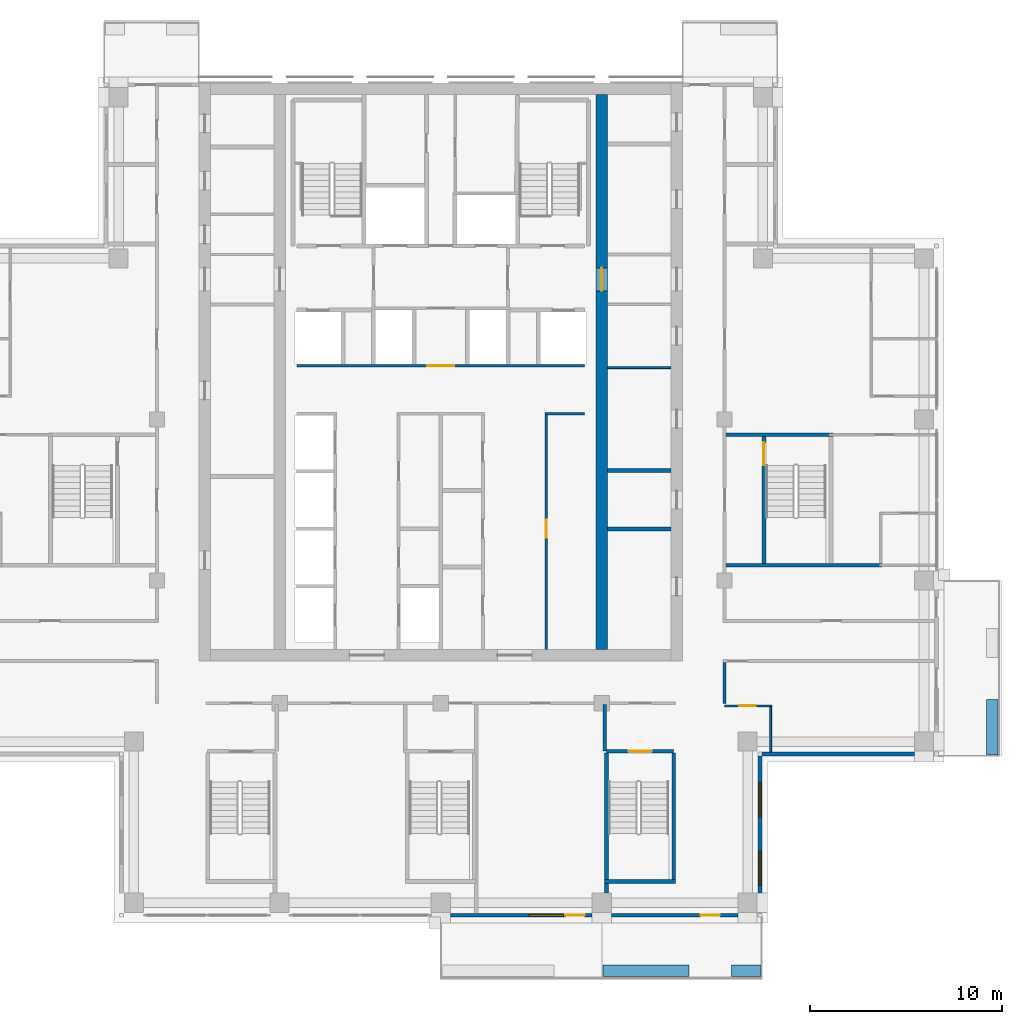
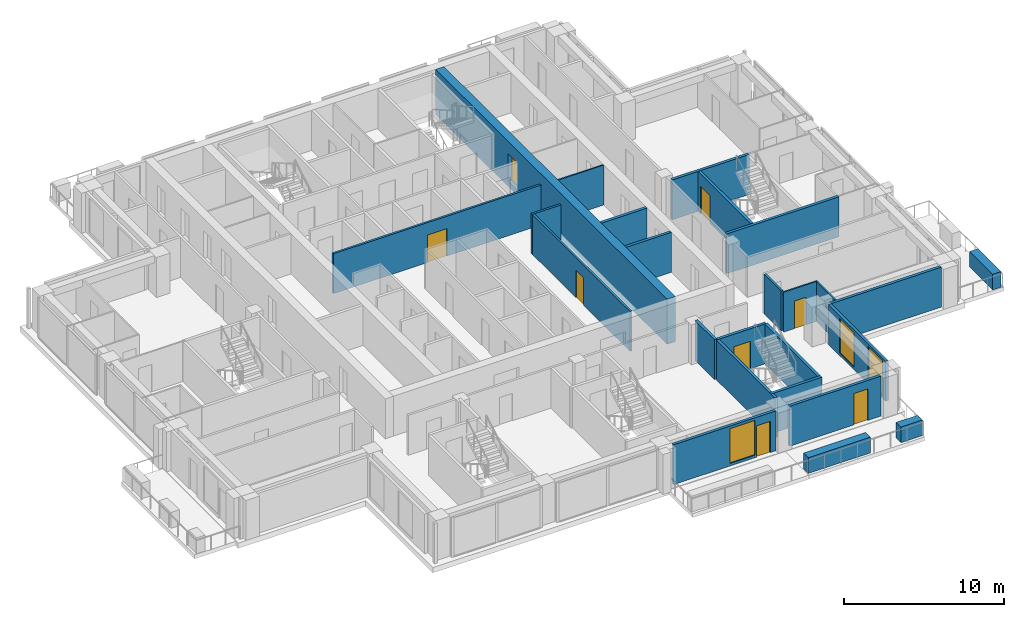
# One storey, part 10 of 17: 25 walls, 8 doors, 3 windows, 11 openings.
"""IFC4 building model written with IfcOpenShell, lengths in metres."""

import ifcopenshell
import ifcopenshell.guid

model = None  # the IFC model being written
_history = None  # IfcOwnerHistory: only IFC2X3 demands one
_inside = {}  # id of a spatial element -> (the spatial element, [elements in it])
_under = {}  # id of a project, library or spatial element -> (it, [spatial elements below it])
_declared = {}  # id of a project -> (the project, [libraries it declares])
_typed = {}  # id of a type object -> (the type object, [elements of that type])
_made_of = {}  # id of a material, layer set ... -> (it, [elements and type objects made of it])


def new_model(schema):
    """Start an empty IFC model of exactly this schema.

    Asked for "IFC4X3", IfcOpenShell would pick the latest addendum, in which some entities
    have other attributes; the version numbers below select the first issue.
    IFC2X3 requires an IfcOwnerHistory on every rooted entity: one is made here for all.
    """
    global model, _history
    if schema == "IFC4X3":
        model = ifcopenshell.file(schema_version=(4, 3, 0, 0))
    else:
        model = ifcopenshell.file(schema=schema)
    _inside.clear()
    _under.clear()
    _declared.clear()
    _typed.clear()
    _made_of.clear()
    _history = None
    if model.schema == "IFC2X3":
        org = make("IfcOrganization", Name="unknown")
        user = make(
            "IfcPersonAndOrganization",
            ThePerson=make("IfcPerson", FamilyName="unknown"),
            TheOrganization=org,
        )
        app = make(
            "IfcApplication",
            ApplicationDeveloper=org,
            Version="unknown",
            ApplicationFullName="unknown",
            ApplicationIdentifier="unknown",
        )
        _history = make(
            "IfcOwnerHistory",
            OwningUser=user,
            OwningApplication=app,
            ChangeAction="ADDED",
            CreationDate=0,
        )
    return model


def make(cls, **values):
    """One entity of the class cls with the attributes given. An attribute that is None is left unset."""
    return model.create_entity(
        cls, **{name: value for name, value in values.items() if value is not None}
    )


def rooted(cls, **values):
    """An entity with a GlobalId (a new one), such as an element, a storey or a relation."""
    return make(cls, GlobalId=ifcopenshell.guid.new(), OwnerHistory=_history, **values)


def si_unit(unit_type, name, prefix=None):
    """IfcSIUnit, for example si_unit("LENGTHUNIT", "METRE", prefix="MILLI")."""
    return make("IfcSIUnit", UnitType=unit_type, Prefix=prefix, Name=name)


def assignment(units):
    """IfcUnitAssignment: the units of a project."""
    return None if units is None else make("IfcUnitAssignment", Units=units)


def point(xyz):
    """IfcCartesianPoint."""
    return None if xyz is None else make("IfcCartesianPoint", Coordinates=xyz)


def direction(xyz):
    """IfcDirection."""
    return None if xyz is None else make("IfcDirection", DirectionRatios=xyz)


def frame(location, z_axis=None, x_axis=None):
    """IfcAxis2Placement3D, a coordinate frame: its origin and axes. An axis left out is left unset."""
    return make(
        "IfcAxis2Placement3D",
        Location=point(location),
        Axis=direction(z_axis),
        RefDirection=direction(x_axis),
    )


def frame_2d(location, x_axis=None):
    """IfcAxis2Placement2D, a coordinate frame in the plane: its origin and x axis."""
    return make(
        "IfcAxis2Placement2D", Location=point(location), RefDirection=direction(x_axis)
    )


def origin():
    """The frame at (0, 0, 0) with its axes left unset."""
    return frame((0.0, 0.0, 0.0))


def place(relative_to, where):
    """IfcLocalPlacement: puts the frame where relative to a parent placement (None: the world)."""
    return make(
        "IfcLocalPlacement", PlacementRelTo=relative_to, RelativePlacement=where
    )


def context(
    kind, dimensions, precision=None, world=None, true_north=None, identifier=None
):
    """IfcGeometricRepresentationContext, for example the 3D "Model" context."""
    return make(
        "IfcGeometricRepresentationContext",
        ContextIdentifier=identifier,
        ContextType=kind,
        CoordinateSpaceDimension=dimensions,
        Precision=precision,
        WorldCoordinateSystem=world,
        TrueNorth=true_north,
    )


def subcontext(parent, identifier, kind, view, scale=None):
    """IfcGeometricRepresentationSubContext, for example "Body" below "Model"."""
    return make(
        "IfcGeometricRepresentationSubContext",
        ContextIdentifier=identifier,
        ContextType=kind,
        ParentContext=parent,
        TargetScale=scale,
        TargetView=view,
    )


def project(units=None, contexts=None):
    """IfcProject with its units and contexts."""
    return rooted(
        "IfcProject",
        Name="project",
        RepresentationContexts=contexts,
        UnitsInContext=assignment(units),
    )


def spatial(cls, under=None, at=None, **own):
    """A site, building, storey or space (cls), placed at a placement, below another one or the project."""
    s = rooted(cls, ObjectPlacement=at, **own)
    if under is not None:
        _under.setdefault(under.id(), (under, []))[1].append(s)
    return s


def profile(cls, at=None, kind="AREA", **sizes):
    """A parametric profile (cls). Its sizes go by their IFC names, for example OverallWidth=200.0."""
    return make(cls, ProfileType=kind, Position=at, **sizes)


def rectangle(**sizes):
    """IfcRectangleProfileDef."""
    return profile("IfcRectangleProfileDef", **sizes)


def extrude(swept, where, along, depth):
    """IfcExtrudedAreaSolid: the profile swept, set in the frame where, extruded along a direction by depth."""
    return make(
        "IfcExtrudedAreaSolid",
        SweptArea=swept,
        Position=where,
        ExtrudedDirection=direction(along),
        Depth=depth,
    )


def shape(context_of_items, identifier, shape_type, items):
    """IfcShapeRepresentation: the items that make up one representation, for example the "Body"."""
    return make(
        "IfcShapeRepresentation",
        ContextOfItems=context_of_items,
        RepresentationIdentifier=identifier,
        RepresentationType=shape_type,
        Items=items,
    )


def material(Name=None, Category=None):
    """IfcMaterial."""
    return make("IfcMaterial", Name=Name, Category=Category)


def layer(
    of_material, thickness, ventilated=None, Name=None, Category=None, Priority=None
):
    """IfcMaterialLayer: one layer of a wall or slab, of a material (None: an air gap)."""
    return make(
        "IfcMaterialLayer",
        Material=of_material,
        LayerThickness=thickness,
        IsVentilated=ventilated,
        Name=Name,
        Category=Category,
        Priority=Priority,
    )


def layer_set(layers, Name=None):
    """IfcMaterialLayerSet."""
    return make("IfcMaterialLayerSet", MaterialLayers=layers, LayerSetName=Name)


def made_of(thing, what):
    """Note that an element or type object is made of a material, layer set ...; save() writes the relation."""
    if what is not None:
        _made_of.setdefault(what.id(), (what, []))[1].append(thing)
    return thing


def type_object(cls, material=None, **own):
    """A type object (cls), such as IfcWallType, which elements share."""
    return made_of(rooted(cls, **own), material)


def element(
    cls,
    number,
    at=None,
    inside=None,
    cuts=None,
    type_object=None,
    material=None,
    context=None,
    identifier="Body",
    shape_type=None,
    held_by="IfcProductDefinitionShape",
    body=None,
    shapes=None,
    **own,
):
    """One element of the class cls, such as IfcWall. Its Tag is "e" and its number.

    at: its placement. inside: the storey or other place that contains it. cuts: it is an
    opening in that element (IfcRelVoidsElement). A single representation is given by context,
    identifier, shape_type and body (its items); several are given by shapes. held_by: the class
    of the entity that holds the representations. save() writes the other relations.
    """
    e = rooted(cls, Tag="e%d" % number, ObjectPlacement=at, **own)
    if body is not None:
        shapes = [shape(context, identifier, shape_type, body)]
    if shapes is not None:
        e.Representation = make(held_by, Representations=shapes)
    if inside is not None:
        _inside.setdefault(inside.id(), (inside, []))[1].append(e)
    if cuts is not None:
        rooted(
            "IfcRelVoidsElement", RelatingBuildingElement=cuts, RelatedOpeningElement=e
        )
    if type_object is not None:
        _typed.setdefault(type_object.id(), (type_object, []))[1].append(e)
    return made_of(e, material)


def fill(opening, filler):
    """IfcRelFillsElement: the door or window that sits in an opening."""
    return rooted(
        "IfcRelFillsElement",
        RelatingOpeningElement=opening,
        RelatedBuildingElement=filler,
    )


def aggregate(whole, parts):
    """IfcRelAggregates: a whole, such as a stair, and the parts it consists of."""
    return rooted("IfcRelAggregates", RelatingObject=whole, RelatedObjects=parts)


def save(model, path):
    """Write the relations noted so far, then the file.

    IfcRelAggregates (storeys below a building ...), IfcRelContainedInSpatialStructure (elements
    in a storey), IfcRelDefinesByType, IfcRelAssociatesMaterial and IfcRelDeclares: one each for
    every whole, place, type object, material and project.
    """
    for whole, parts in _under.values():
        aggregate(whole, parts)
    for where, things in _inside.values():
        rooted(
            "IfcRelContainedInSpatialStructure",
            RelatedElements=things,
            RelatingStructure=where,
        )
    for kind, things in _typed.values():
        rooted("IfcRelDefinesByType", RelatedObjects=things, RelatingType=kind)
    for what, things in _made_of.values():
        rooted("IfcRelAssociatesMaterial", RelatedObjects=things, RelatingMaterial=what)
    for by, libraries in _declared.values():
        rooted("IfcRelDeclares", RelatingContext=by, RelatedDefinitions=libraries)
    model.write(path)


model = new_model("IFC4")

# Units and contexts
model_context = context("Model", 3, precision=1e-05, world=origin(), true_north=direction((0.0, 1.0)))
body_context = subcontext(model_context, "Body", "Model", "MODEL_VIEW")
ifc_project = project(units=[si_unit("LENGTHUNIT", "METRE"), si_unit("AREAUNIT", "SQUARE_METRE"), si_unit("VOLUMEUNIT", "CUBIC_METRE"), si_unit("PLANEANGLEUNIT", "RADIAN"), si_unit("MASSUNIT", "GRAM", prefix="KILO")], contexts=[model_context])

# Site, building, storey
site_placement = place(None, origin())
site = spatial("IfcSite", under=ifc_project, at=site_placement, CompositionType="ELEMENT")
building_placement = place(site_placement, origin())
building = spatial("IfcBuilding", under=site, at=building_placement, Name="Vermilion Ogive Tower", CompositionType="ELEMENT")
storey_placement = place(building_placement, frame((0.0, 0.0, 189.35009765625)))
storey = spatial("IfcBuildingStorey", under=building, at=storey_placement, Name="L49", CompositionType="ELEMENT", Elevation=189.35009765625)

# Wall, opening, door
ifc_material_1 = material(Name="Concrete B60", Category="concrete")
ifc_layer_1 = layer(ifc_material_1, 0.60009765625)
ifc_layer_set_1 = layer_set([ifc_layer_1], Name="Core wall 600 B60")
wall_type_1 = type_object("IfcWallType", Name="Core wall 600 B60", PredefinedType="SHEAR", material=ifc_layer_set_1)
wall_1_placement = place(storey_placement, frame((8.39990234375, -7.800048828125, -0.400146484375), z_axis=(0.0, 0.0, 1.0), x_axis=(0.0, 1.0, 0.0)))
wall_1 = element("IfcWall", 1, at=wall_1_placement, inside=storey, type_object=wall_type_1, Name="L49-CORE-WEB2", PredefinedType="SHEAR", context=body_context, shape_type="SweptSolid", body=[
    extrude(rectangle(XDim=28.949951171875, YDim=0.60009765625, at=frame_2d((14.47509765625, 0.0))), origin(), (0.0, 0.0, 1.0), 3.449951171875),
])
opening_1_placement = place(wall_1_placement, frame((18.699951171875, 0.0, 0.39990234375)))
opening_1 = element("IfcOpeningElement", 2, at=opening_1_placement, cuts=wall_1, Name="Opening DAO014", PredefinedType="OPENING", context=body_context, shape_type="SweptSolid", body=[
    extrude(rectangle(XDim=1.199951171875, YDim=2.10009765625, at=frame_2d((0.60009765625, 1.050048828125))), frame((0.0, 0.31005859375, 0.0), z_axis=(0.0, -1.0, 0.0), x_axis=(1.0, 0.0, 0.0)), (0.0, 0.0, 1.0), 0.6201171875),
])
ifc_material_2 = material(Name="Timber door leaf", Category="wood")
door_type_1 = type_object("IfcDoorType", Name="Link door 1200 x 2100 FD60S", OperationType="SINGLE_SWING_LEFT", PredefinedType="DOOR", material=ifc_material_2)
door_1_placement = place(opening_1_placement, origin())
door_1 = element("IfcDoor", 3, at=door_1_placement, inside=storey, type_object=door_type_1, Name="L49-CKE-XW", OperationType="SINGLE_SWING_LEFT", OverallHeight=2.10009765625, OverallWidth=1.199951171875, PredefinedType="DOOR", context=body_context, shape_type="SweptSolid", body=[
    extrude(rectangle(XDim=1.199951171875, YDim=2.10009765625, at=frame_2d((0.60009765625, 1.050048828125))), frame((0.0, 0.02490234375, 0.0), z_axis=(0.0, -1.0, 0.0), x_axis=(1.0, 0.0, 0.0)), (0.0, 0.0, 1.0), 0.050048828125),
])
fill(opening_1, door_1)

ifc_material_3 = material(Name="Gypsum board partition on steel studs", Category="steel")
ifc_layer_2 = layer(ifc_material_3, 0.10009765625)
ifc_layer_set_2 = layer_set([ifc_layer_2], Name="Partition 100 bath")
wall_type_2 = type_object("IfcWallType", Name="Partition 100 bath", PredefinedType="PARTITIONING", material=ifc_layer_set_2)
wall_2_placement = place(storey_placement, frame((14.800048828125, -10.739990234375, 0.0), z_axis=(0.0, 0.0, 1.0), x_axis=(1.0, 0.0, 0.0)))
wall_2 = element("IfcWall", 4, at=wall_2_placement, inside=storey, type_object=wall_type_2, Name="L49-W-W005", PredefinedType="PARTITIONING", context=body_context, shape_type="SweptSolid", body=[
    extrude(rectangle(XDim=2.449951171875, YDim=0.10009765625, at=frame_2d((1.22509765625, 0.0))), origin(), (0.0, 0.0, 1.0), 3.0498046875),
])
opening_2_placement = place(wall_2_placement, frame((0.77490234375, 0.0, 0.0)))
opening_2 = element("IfcOpeningElement", 5, at=opening_2_placement, cuts=wall_2, Name="Opening D4G2012", PredefinedType="OPENING", context=body_context, shape_type="SweptSolid", body=[
    extrude(rectangle(XDim=0.85009765625, YDim=2.10009765625, at=frame_2d((0.425048828125, 1.050048828125))), frame((0.0, 0.06005859375, 0.0), z_axis=(0.0, -1.0, 0.0), x_axis=(1.0, 0.0, 0.0)), (0.0, 0.0, 1.0), 0.1201171875),
])
ifc_material_4 = material(Name="Timber door leaf", Category="wood")
door_type_2 = type_object("IfcDoorType", Name="Bath door 850 x 2100 FD30", OperationType="SINGLE_SWING_LEFT", PredefinedType="DOOR", material=ifc_material_4)
door_2_placement = place(opening_2_placement, origin())
door_2 = element("IfcDoor", 6, at=door_2_placement, inside=storey, type_object=door_type_2, Name="L49-D-D012", OperationType="SINGLE_SWING_RIGHT", OverallHeight=2.10009765625, OverallWidth=0.85009765625, PredefinedType="DOOR", context=body_context, shape_type="SweptSolid", body=[
    extrude(rectangle(XDim=0.85009765625, YDim=2.10009765625, at=frame_2d((0.425048828125, 1.050048828125))), frame((0.0, 0.02490234375, 0.0), z_axis=(0.0, -1.0, 0.0), x_axis=(1.0, 0.0, 0.0)), (0.0, 0.0, 1.0), 0.050048828125),
])
fill(opening_2, door_2)

# Walls
wall_3_placement = place(storey_placement, frame((17.199951171875, -13.14990234375, 0.0), z_axis=(0.0, 0.0, 1.0), x_axis=(0.0, 1.0, 0.0)))
element("IfcWall", 7, at=wall_3_placement, inside=storey, type_object=wall_type_2, Name="L49-W-W044", PredefinedType="PARTITIONING", context=body_context, shape_type="SweptSolid", body=[
    extrude(rectangle(XDim=2.35986328125, YDim=0.10009765625, at=frame_2d((1.179931640625, 0.0))), origin(), (0.0, 0.0, 1.0), 3.0498046875),
])
wall_4_placement = place(storey_placement, frame((8.700927734375, 6.904052734375, 0.0), z_axis=(0.0, 0.0, 1.0), x_axis=(1.0, 0.0, 0.0)))
element("IfcWall", 8, at=wall_4_placement, inside=storey, type_object=wall_type_2, Name="L49-CKE-W-W003", PredefinedType="PARTITIONING", context=body_context, shape_type="SweptSolid", body=[
    extrude(rectangle(XDim=3.298095703125, YDim=0.10009765625, at=frame_2d((1.64892578125, 0.0))), origin(), (0.0, 0.0, 1.0), 3.0498046875),
])
ifc_material_5 = material(Name="Gypsum board partition on steel studs", Category="steel")
ifc_layer_3 = layer(ifc_material_5, 0.14990234375)
ifc_layer_set_3 = layer_set([ifc_layer_3], Name="Partition 150 corridor")
wall_type_3 = type_object("IfcWallType", Name="Partition 150 corridor", PredefinedType="PARTITIONING", material=ifc_layer_set_3)
wall_5_placement = place(storey_placement, frame((14.800048828125, -10.60009765625, 0.0), z_axis=(0.0, 0.0, 1.0), x_axis=(0.0, 1.0, 0.0)))
element("IfcWall", 9, at=wall_5_placement, inside=storey, type_object=wall_type_3, Name="L49-W-W041", PredefinedType="PARTITIONING", context=body_context, shape_type="SweptSolid", body=[
    extrude(rectangle(XDim=2.125, YDim=0.14990234375, at=frame_2d((1.0625, 0.0))), origin(), (0.0, 0.0, 1.0), 3.0498046875),
])
wall_6_placement = place(storey_placement, frame((5.425048828125, 4.5, 0.0), z_axis=(0.0, 0.0, 1.0), x_axis=(1.0, 0.0, 0.0)))
element("IfcWall", 10, at=wall_6_placement, inside=storey, type_object=wall_type_3, Name="L49-CK-W-W010", PredefinedType="PARTITIONING", context=body_context, shape_type="SweptSolid", body=[
    extrude(rectangle(XDim=2.074951171875, YDim=0.14990234375, at=frame_2d((1.03759765625, 0.0))), origin(), (0.0, 0.0, 1.0), 3.0498046875),
])

# Wall, opening, door
wall_7_placement = place(storey_placement, frame((-7.5, 7.0, 0.0), z_axis=(0.0, 0.0, 1.0), x_axis=(1.0, 0.0, 0.0)))
wall_7 = element("IfcWall", 11, at=wall_7_placement, inside=storey, type_object=wall_type_3, Name="L49-CK-W-W011", PredefinedType="PARTITIONING", context=body_context, shape_type="SweptSolid", body=[
    extrude(rectangle(XDim=15.0, YDim=0.14990234375, at=frame_2d((7.5, 0.0))), origin(), (0.0, 0.0, 1.0), 3.0498046875),
])
opening_3_placement = place(wall_7_placement, frame((6.800048828125, 0.0, 0.0)))
opening_3 = element("IfcOpeningElement", 12, at=opening_3_placement, cuts=wall_7, Name="Opening DAA421", PredefinedType="OPENING", context=body_context, shape_type="SweptSolid", body=[
    extrude(rectangle(XDim=1.39990234375, YDim=2.10009765625, at=frame_2d((0.699951171875, 1.050048828125))), frame((0.0, 0.0849609375, 0.0), z_axis=(0.0, -1.0, 0.0), x_axis=(1.0, 0.0, 0.0)), (0.0, 0.0, 1.0), 0.169921875),
])
ifc_material_6 = material(Name="Timber door leaf", Category="wood")
door_type_3 = type_object("IfcDoorType", Name="Lobby door 1400 x 2100 FD60S", OperationType="SINGLE_SWING_LEFT", PredefinedType="DOOR", material=ifc_material_6)
door_3_placement = place(opening_3_placement, origin())
door_3 = element("IfcDoor", 13, at=door_3_placement, inside=storey, type_object=door_type_3, Name="L49-CK-D-D016", OperationType="SINGLE_SWING_RIGHT", OverallHeight=2.10009765625, OverallWidth=1.39990234375, PredefinedType="DOOR", context=body_context, shape_type="SweptSolid", body=[
    extrude(rectangle(XDim=1.39990234375, YDim=2.10009765625, at=frame_2d((0.699951171875, 1.050048828125))), frame((0.0, 0.02490234375, 0.0), z_axis=(0.0, -1.0, 0.0), x_axis=(1.0, 0.0, 0.0)), (0.0, 0.0, 1.0), 0.050048828125),
])
fill(opening_3, door_3)

wall_8_placement = place(storey_placement, frame((5.5, -7.799072265625, 0.0), z_axis=(0.0, 0.0, 1.0), x_axis=(0.0, 1.0, 0.0)))
wall_8 = element("IfcWall", 14, at=wall_8_placement, inside=storey, type_object=wall_type_3, Name="L49-CK-W-W038", PredefinedType="PARTITIONING", context=body_context, shape_type="SweptSolid", body=[
    extrude(rectangle(XDim=12.22412109375, YDim=0.14990234375, at=frame_2d((6.112060546875, 0.0))), origin(), (0.0, 0.0, 1.0), 3.0498046875),
])
opening_4_placement = place(wall_8_placement, frame((5.823974609375, 0.0, 0.0)))
opening_4 = element("IfcOpeningElement", 15, at=opening_4_placement, cuts=wall_8, Name="Opening DAA429", PredefinedType="OPENING", context=body_context, shape_type="SweptSolid", body=[
    extrude(rectangle(XDim=0.949951171875, YDim=2.10009765625, at=frame_2d((0.47509765625, 1.050048828125))), frame((0.0, 0.0849609375, 0.0), z_axis=(0.0, -1.0, 0.0), x_axis=(1.0, 0.0, 0.0)), (0.0, 0.0, 1.0), 0.169921875),
])
ifc_material_7 = material(Name="Timber door leaf", Category="wood")
door_type_4 = type_object("IfcDoorType", Name="Service door 950 x 2100 FD60", OperationType="SINGLE_SWING_LEFT", PredefinedType="DOOR", material=ifc_material_7)
door_4_placement = place(opening_4_placement, origin())
door_4 = element("IfcDoor", 16, at=door_4_placement, inside=storey, type_object=door_type_4, Name="L49-CK-D-D011", OperationType="SINGLE_SWING_LEFT", OverallHeight=2.10009765625, OverallWidth=0.949951171875, PredefinedType="DOOR", context=body_context, shape_type="SweptSolid", body=[
    extrude(rectangle(XDim=0.949951171875, YDim=2.10009765625, at=frame_2d((0.47509765625, 1.050048828125))), frame((0.0, 0.02490234375, 0.0), z_axis=(0.0, -1.0, 0.0), x_axis=(1.0, 0.0, 0.0)), (0.0, 0.0, 1.0), 0.050048828125),
])
fill(opening_4, door_4)

# Walls
ifc_material_8 = material(Name="Gypsum board partition on steel studs", Category="steel")
ifc_layer_4 = layer(ifc_material_8, 0.199951171875)
ifc_layer_set_4 = layer_set([ifc_layer_4], Name="Partition 200 party")
wall_type_4 = type_object("IfcWallType", Name="Partition 200 party", PredefinedType="PARTITIONING", material=ifc_layer_set_4)
wall_9_placement = place(storey_placement, frame((8.550048828125, -13.10009765625, 0.0), z_axis=(0.0, 0.0, 1.0), x_axis=(0.0, 1.0, 0.0)))
element("IfcWall", 17, at=wall_9_placement, inside=storey, type_object=wall_type_4, Name="L49-W-W040", PredefinedType="PARTITIONING", context=body_context, shape_type="SweptSolid", body=[
    extrude(rectangle(XDim=2.425048828125, YDim=0.199951171875, at=frame_2d((1.21240234375, 0.0))), origin(), (0.0, 0.0, 1.0), 3.0498046875),
])
for number, where, z_axis, x_axis, name in (
    (18, (8.700927734375, -1.51904296875, 0.0), (0.0, 0.0, 1.0), (1.0, 0.0, 0.0), "L49-CKE-W-W001"),
    (19, (8.700927734375, 1.532958984375, 0.0), (0.0, 0.0, 1.0), (1.0, 0.0, 0.0), "L49-CKE-W-W002"),
):
    element("IfcWall", number, at=place(storey_placement, frame(where, z_axis=z_axis, x_axis=x_axis)), inside=storey, type_object=wall_type_4, Name=name, PredefinedType="PARTITIONING", context=body_context, shape_type="SweptSolid", body=[
        extrude(rectangle(XDim=3.298095703125, YDim=0.199951171875, at=frame_2d((1.64892578125, 0.0))), origin(), (0.0, 0.0, 1.0), 3.0498046875),
    ])

# Wall, opening, door
ifc_material_9 = material(Name="Concrete B60", Category="concrete")
ifc_layer_5 = layer(ifc_material_9, 0.199951171875)
ifc_layer_set_5 = layer_set([ifc_layer_5], Name="Stair shaft wall 200 Concrete B60")
wall_type_5 = type_object("IfcWallType", Name="Stair shaft wall 200 Concrete B60", PredefinedType="SOLIDWALL", material=ifc_layer_set_5)
wall_10_placement = place(storey_placement, frame((8.64990234375, -13.10009765625, 0.0), z_axis=(0.0, 0.0, 1.0), x_axis=(1.0, 0.0, 0.0)))
wall_10 = element("IfcWall", 20, at=wall_10_placement, inside=storey, type_object=wall_type_5, Name="L49-W-W004", PredefinedType="SOLIDWALL", context=body_context, shape_type="SweptSolid", body=[
    extrude(rectangle(XDim=3.5, YDim=0.199951171875, at=frame_2d((1.75, 0.0))), origin(), (0.0, 0.0, 1.0), 3.0498046875),
])
opening_5_placement = place(wall_10_placement, frame((1.150146484375, 0.0, 0.0)))
opening_5 = element("IfcOpeningElement", 21, at=opening_5_placement, cuts=wall_10, Name="Opening D4G2025", PredefinedType="OPENING", context=body_context, shape_type="SweptSolid", body=[
    extrude(rectangle(XDim=1.199951171875, YDim=2.10009765625, at=frame_2d((0.60009765625, 1.050048828125))), frame((0.0, 0.10986328125, 0.0), z_axis=(0.0, -1.0, 0.0), x_axis=(1.0, 0.0, 0.0)), (0.0, 0.0, 1.0), 0.219970703125),
])
ifc_material_10 = material(Name="Timber door leaf", Category="wood")
door_type_5 = type_object("IfcDoorType", Name="Stair door 1200 x 2100 FD60S", OperationType="SINGLE_SWING_LEFT", PredefinedType="DOOR", material=ifc_material_10)
door_5_placement = place(opening_5_placement, origin())
door_5 = element("IfcDoor", 22, at=door_5_placement, inside=storey, type_object=door_type_5, Name="L49-D-D025", OperationType="SINGLE_SWING_RIGHT", OverallHeight=2.10009765625, OverallWidth=1.199951171875, PredefinedType="DOOR", context=body_context, shape_type="SweptSolid", body=[
    extrude(rectangle(XDim=1.199951171875, YDim=2.10009765625, at=frame_2d((0.60009765625, 1.050048828125))), frame((0.0, 0.02490234375, 0.0), z_axis=(0.0, -1.0, 0.0), x_axis=(1.0, 0.0, 0.0)), (0.0, 0.0, 1.0), 0.050048828125),
])
fill(opening_5, door_5)

# Wall
wall_11_placement = place(storey_placement, frame((14.875, 3.39990234375, 0.0), z_axis=(0.0, 0.0, 1.0), x_axis=(1.0, 0.0, 0.0)))
element("IfcWall", 23, at=wall_11_placement, inside=storey, type_object=wall_type_5, Name="L49-W-W019", PredefinedType="SOLIDWALL", context=body_context, shape_type="SweptSolid", body=[
    extrude(rectangle(XDim=5.574951171875, YDim=0.199951171875, at=frame_2d((2.78759765625, 0.0))), origin(), (0.0, 0.0, 1.0), 3.0498046875),
])

# Wall, opening, door
wall_12_placement = place(storey_placement, frame((16.85009765625, -3.300048828125, 0.0), z_axis=(0.0, 0.0, 1.0), x_axis=(0.0, 1.0, 0.0)))
wall_12 = element("IfcWall", 24, at=wall_12_placement, inside=storey, type_object=wall_type_5, Name="L49-W-W043", PredefinedType="SOLIDWALL", context=body_context, shape_type="SweptSolid", body=[
    extrude(rectangle(XDim=6.60009765625, YDim=0.199951171875, at=frame_2d((3.300048828125, 0.0))), origin(), (0.0, 0.0, 1.0), 3.0498046875),
])
opening_6_placement = place(wall_12_placement, frame((5.10009765625, 0.0, 0.0)))
opening_6 = element("IfcOpeningElement", 25, at=opening_6_placement, cuts=wall_12, Name="Opening D4G2027", PredefinedType="OPENING", context=body_context, shape_type="SweptSolid", body=[
    extrude(rectangle(XDim=1.199951171875, YDim=2.10009765625, at=frame_2d((0.60009765625, 1.050048828125))), frame((0.0, 0.10986328125, 0.0), z_axis=(0.0, -1.0, 0.0), x_axis=(1.0, 0.0, 0.0)), (0.0, 0.0, 1.0), 0.219970703125),
])
door_6_placement = place(opening_6_placement, origin())
door_6 = element("IfcDoor", 26, at=door_6_placement, inside=storey, type_object=door_type_5, Name="L49-D-D027", OperationType="SINGLE_SWING_LEFT", OverallHeight=2.10009765625, OverallWidth=1.199951171875, PredefinedType="DOOR", context=body_context, shape_type="SweptSolid", body=[
    extrude(rectangle(XDim=1.199951171875, YDim=2.10009765625, at=frame_2d((0.60009765625, 1.050048828125))), frame((0.0, 0.02490234375, 0.0), z_axis=(0.0, -1.0, 0.0), x_axis=(1.0, 0.0, 0.0)), (0.0, 0.0, 1.0), 0.050048828125),
])
fill(opening_6, door_6)

# Walls
wall_13_placement = place(storey_placement, frame((8.550048828125, -19.89990234375, 0.0), z_axis=(0.0, 0.0, 1.0), x_axis=(1.0, 0.0, 0.0)))
element("IfcWall", 27, at=wall_13_placement, inside=storey, type_object=wall_type_5, Name="L49-SW-ST5-S1", PredefinedType="SOLIDWALL", context=body_context, shape_type="SweptSolid", body=[
    extrude(rectangle(XDim=3.699951171875, YDim=0.199951171875, at=frame_2d((1.85009765625, 0.0))), origin(), (0.0, 0.0, 1.0), 3.0498046875),
])
wall_14_placement = place(storey_placement, frame((12.14990234375, -19.800048828125, 0.0), z_axis=(0.0, 0.0, 1.0), x_axis=(0.0, 1.0, 0.0)))
element("IfcWall", 28, at=wall_14_placement, inside=storey, type_object=wall_type_5, Name="L49-SW-ST5-E1", PredefinedType="SOLIDWALL", context=body_context, shape_type="SweptSolid", body=[
    extrude(rectangle(XDim=6.60009765625, YDim=0.199951171875, at=frame_2d((3.300048828125, 0.0))), origin(), (0.0, 0.0, 1.0), 3.0498046875),
])
wall_15_placement = place(storey_placement, frame((8.64990234375, -20.5, 0.0), z_axis=(0.0, 0.0, 1.0), x_axis=(0.0, 1.0, 0.0)))
element("IfcWall", 29, at=wall_15_placement, inside=storey, type_object=wall_type_5, Name="L49-SW-ST5-W1-A", PredefinedType="SOLIDWALL", context=body_context, shape_type="SweptSolid", body=[
    extrude(rectangle(XDim=7.298095703125, YDim=0.199951171875, at=frame_2d((3.64892578125, 0.0))), origin(), (0.0, 0.0, 1.0), 3.0498046875),
])
wall_16_placement = place(storey_placement, frame((14.875, -3.39990234375, 0.0), z_axis=(0.0, 0.0, 1.0), x_axis=(1.0, 0.0, 0.0)))
element("IfcWall", 30, at=wall_16_placement, inside=storey, type_object=wall_type_5, Name="L49-W-W013-A", PredefinedType="SOLIDWALL", context=body_context, shape_type="SweptSolid", body=[
    extrude(rectangle(XDim=8.125, YDim=0.199951171875, at=frame_2d((4.0625, 0.0))), origin(), (0.0, 0.0, 1.0), 3.0498046875),
])
ifc_material_11 = material(Name="Concrete B40", Category="concrete")
ifc_layer_6 = layer(ifc_material_11, 0.60009765625)
ifc_layer_set_6 = layer_set([ifc_layer_6], Name="Structural planter")
wall_type_6 = type_object("IfcWallType", Name="Structural planter", PredefinedType="USERDEFINED", material=ifc_layer_set_6)
wall_17_placement = place(storey_placement, frame((8.4599609375, -24.550048828125, -0.0400390625), z_axis=(0.0, 0.0, 1.0), x_axis=(1.0, 0.0, 0.0)))
element("IfcWall", 31, at=wall_17_placement, inside=storey, type_object=wall_type_6, Name="Planter S04A1", ObjectType="PLANTER", PredefinedType="USERDEFINED", context=body_context, shape_type="SweptSolid", body=[
    extrude(rectangle(XDim=4.489990234375, YDim=0.60009765625, at=frame_2d((2.2451171875, 0.0))), origin(), (0.0, 0.0, 1.0), 1.199951171875),
])
wall_18_placement = place(storey_placement, frame((15.14990234375, -24.550048828125, -0.0400390625), z_axis=(0.0, 0.0, 1.0), x_axis=(1.0, 0.0, 0.0)))
element("IfcWall", 32, at=wall_18_placement, inside=storey, type_object=wall_type_6, Name="Planter S04A2", ObjectType="PLANTER", PredefinedType="USERDEFINED", context=body_context, shape_type="SweptSolid", body=[
    extrude(rectangle(XDim=1.5400390625, YDim=0.60009765625, at=frame_2d((0.77001953125, 0.0))), origin(), (0.0, 0.0, 1.0), 1.199951171875),
])
wall_19_placement = place(storey_placement, frame((28.75, -13.2900390625, -0.0400390625), z_axis=(0.0, 0.0, 1.0), x_axis=(0.0, 1.0, 0.0)))
element("IfcWall", 33, at=wall_19_placement, inside=storey, type_object=wall_type_6, Name="Planter E01A1", ObjectType="PLANTER", PredefinedType="USERDEFINED", context=body_context, shape_type="SweptSolid", body=[
    extrude(rectangle(XDim=2.89013671875, YDim=0.60009765625, at=frame_2d((1.445068359375, 0.0))), origin(), (0.0, 0.0, 1.0), 1.199951171875),
])

# Wall, openings, door, window
ifc_material_12 = material(Name="Aluminium window wall framing", Category="aluminium")
ifc_layer_7 = layer(ifc_material_12, 0.199951171875)
ifc_layer_set_7 = layer_set([ifc_layer_7], Name="Window wall")
wall_type_7 = type_object("IfcWallType", Name="Window wall", PredefinedType="STANDARD", material=ifc_layer_set_7)
wall_20_placement = place(storey_placement, frame((0.5, -21.64990234375, 0.0), z_axis=(0.0, 0.0, 1.0), x_axis=(1.0, 0.0, 0.0)))
wall_20 = element("IfcWall", 34, at=wall_20_placement, inside=storey, type_object=wall_type_7, Name="Window wall S3", PredefinedType="STANDARD", context=body_context, shape_type="SweptSolid", body=[
    extrude(rectangle(XDim=7.39990234375, YDim=0.199951171875, at=frame_2d((3.699951171875, 0.0))), origin(), (0.0, 0.0, 1.0), 3.0498046875),
])
opening_7_placement = place(wall_20_placement, frame((4.10009765625, 0.0, 0.199951171875)))
opening_7 = element("IfcOpeningElement", 35, at=opening_7_placement, cuts=wall_20, Name="Opening W1-S01", PredefinedType="OPENING", context=body_context, shape_type="SweptSolid", body=[
    extrude(rectangle(XDim=1.800048828125, YDim=2.64990234375, at=frame_2d((0.89990234375, 1.324951171875))), frame((0.0, 0.10986328125, 0.0), z_axis=(0.0, -1.0, 0.0), x_axis=(1.0, 0.0, 0.0)), (0.0, 0.0, 1.0), 0.219970703125),
])
opening_8_placement = place(wall_20_placement, frame((6.0, 0.0, 0.0)))
opening_8 = element("IfcOpeningElement", 36, at=opening_8_placement, cuts=wall_20, Name="Opening D1-S01", PredefinedType="OPENING", context=body_context, shape_type="SweptSolid", body=[
    extrude(rectangle(XDim=1.0, YDim=2.39990234375, at=frame_2d((0.5, 1.199951171875))), frame((0.0, 0.10986328125, 0.0), z_axis=(0.0, -1.0, 0.0), x_axis=(1.0, 0.0, 0.0)), (0.0, 0.0, 1.0), 0.219970703125),
])
ifc_material_13 = material(Name="Aluminium framed glazed door", Category="aluminium")
door_type_6 = type_object("IfcDoorType", Name="Balcony door D1", OperationType="SINGLE_SWING_LEFT", PredefinedType="DOOR", material=ifc_material_13)
door_7_placement = place(opening_8_placement, origin())
door_7 = element("IfcDoor", 37, at=door_7_placement, inside=storey, type_object=door_type_6, Name="Balcony door S01", OperationType="SINGLE_SWING_LEFT", OverallHeight=2.39990234375, OverallWidth=1.0, PredefinedType="DOOR", context=body_context, shape_type="SweptSolid", body=[
    extrude(rectangle(XDim=1.0, YDim=2.39990234375, at=frame_2d((0.5, 1.199951171875))), frame((0.0, 0.02490234375, 0.0), z_axis=(0.0, -1.0, 0.0), x_axis=(1.0, 0.0, 0.0)), (0.0, 0.0, 1.0), 0.050048828125),
])
fill(opening_8, door_7)
ifc_material_14 = material(Name="Aluminium framed double glazing", Category="aluminium")
window_type = type_object("IfcWindowType", Name="Guest window W1", PartitioningType="SINGLE_PANEL", PredefinedType="WINDOW", material=ifc_material_14)
window_1_placement = place(opening_7_placement, origin())
window_1 = element("IfcWindow", 38, at=window_1_placement, inside=storey, type_object=window_type, Name="Window S01", OverallHeight=2.64990234375, OverallWidth=1.800048828125, PartitioningType="SINGLE_PANEL", PredefinedType="WINDOW", context=body_context, shape_type="SweptSolid", body=[
    extrude(rectangle(XDim=1.800048828125, YDim=2.64990234375, at=frame_2d((0.89990234375, 1.324951171875))), frame((0.0, 0.030029296875, 0.0), z_axis=(0.0, -1.0, 0.0), x_axis=(1.0, 0.0, 0.0)), (0.0, 0.0, 1.0), 0.06005859375),
])
fill(opening_7, window_1)

# Wall, opening, door
wall_21_placement = place(storey_placement, frame((8.89990234375, -21.64990234375, 0.0), z_axis=(0.0, 0.0, 1.0), x_axis=(1.0, 0.0, 0.0)))
wall_21 = element("IfcWall", 39, at=wall_21_placement, inside=storey, type_object=wall_type_7, Name="Window wall S4", PredefinedType="STANDARD", context=body_context, shape_type="SweptSolid", body=[
    extrude(rectangle(XDim=6.60009765625, YDim=0.199951171875, at=frame_2d((3.300048828125, 0.0))), origin(), (0.0, 0.0, 1.0), 3.0498046875),
])
opening_9_placement = place(wall_21_placement, frame((4.64990234375, 0.0, 0.0)))
opening_9 = element("IfcOpeningElement", 40, at=opening_9_placement, cuts=wall_21, Name="Opening D1-S03K", PredefinedType="OPENING", context=body_context, shape_type="SweptSolid", body=[
    extrude(rectangle(XDim=1.0, YDim=2.39990234375, at=frame_2d((0.5, 1.199951171875))), frame((0.0, 0.10986328125, 0.0), z_axis=(0.0, -1.0, 0.0), x_axis=(1.0, 0.0, 0.0)), (0.0, 0.0, 1.0), 0.219970703125),
])
door_8_placement = place(opening_9_placement, origin())
door_8 = element("IfcDoor", 41, at=door_8_placement, inside=storey, type_object=door_type_6, Name="Balcony door S03K", OperationType="SINGLE_SWING_LEFT", OverallHeight=2.39990234375, OverallWidth=1.0, PredefinedType="DOOR", context=body_context, shape_type="SweptSolid", body=[
    extrude(rectangle(XDim=1.0, YDim=2.39990234375, at=frame_2d((0.5, 1.199951171875))), frame((0.0, 0.02490234375, 0.0), z_axis=(0.0, -1.0, 0.0), x_axis=(1.0, 0.0, 0.0)), (0.0, 0.0, 1.0), 0.050048828125),
])
fill(opening_9, door_8)

# Wall, openings, windows
wall_22_placement = place(storey_placement, frame((16.64990234375, -20.5, 0.0), z_axis=(0.0, 0.0, 1.0), x_axis=(0.0, 1.0, 0.0)))
wall_22 = element("IfcWall", 42, at=wall_22_placement, inside=storey, type_object=wall_type_7, Name="Window wall X11", PredefinedType="STANDARD", context=body_context, shape_type="SweptSolid", body=[
    extrude(rectangle(XDim=7.14990234375, YDim=0.199951171875, at=frame_2d((3.574951171875, 0.0))), origin(), (0.0, 0.0, 1.0), 3.0498046875),
])
opening_10_placement = place(wall_22_placement, frame((0.39990234375, 0.0, 0.199951171875)))
opening_10 = element("IfcOpeningElement", 43, at=opening_10_placement, cuts=wall_22, Name="Opening W1-X195", PredefinedType="OPENING", context=body_context, shape_type="SweptSolid", body=[
    extrude(rectangle(XDim=1.800048828125, YDim=2.64990234375, at=frame_2d((0.89990234375, 1.324951171875))), frame((0.0, 0.10986328125, 0.0), z_axis=(0.0, -1.0, 0.0), x_axis=(1.0, 0.0, 0.0)), (0.0, 0.0, 1.0), 0.219970703125),
])
opening_11_placement = place(wall_22_placement, frame((3.97509765625, 0.0, 0.199951171875)))
opening_11 = element("IfcOpeningElement", 44, at=opening_11_placement, cuts=wall_22, Name="Opening W1-X196", PredefinedType="OPENING", context=body_context, shape_type="SweptSolid", body=[
    extrude(rectangle(XDim=1.800048828125, YDim=2.64990234375, at=frame_2d((0.89990234375, 1.324951171875))), frame((0.0, 0.10986328125, 0.0), z_axis=(0.0, -1.0, 0.0), x_axis=(1.0, 0.0, 0.0)), (0.0, 0.0, 1.0), 0.219970703125),
])
window_2_placement = place(opening_10_placement, origin())
window_2 = element("IfcWindow", 45, at=window_2_placement, inside=storey, type_object=window_type, Name="Window X195", OverallHeight=2.64990234375, OverallWidth=1.800048828125, PartitioningType="SINGLE_PANEL", PredefinedType="WINDOW", context=body_context, shape_type="SweptSolid", body=[
    extrude(rectangle(XDim=1.800048828125, YDim=2.64990234375, at=frame_2d((0.89990234375, 1.324951171875))), frame((0.0, 0.030029296875, 0.0), z_axis=(0.0, -1.0, 0.0), x_axis=(1.0, 0.0, 0.0)), (0.0, 0.0, 1.0), 0.06005859375),
])
fill(opening_10, window_2)
window_3_placement = place(opening_11_placement, origin())
window_3 = element("IfcWindow", 46, at=window_3_placement, inside=storey, type_object=window_type, Name="Window X196", OverallHeight=2.64990234375, OverallWidth=1.800048828125, PartitioningType="SINGLE_PANEL", PredefinedType="WINDOW", context=body_context, shape_type="SweptSolid", body=[
    extrude(rectangle(XDim=1.800048828125, YDim=2.64990234375, at=frame_2d((0.89990234375, 1.324951171875))), frame((0.0, 0.030029296875, 0.0), z_axis=(0.0, -1.0, 0.0), x_axis=(1.0, 0.0, 0.0)), (0.0, 0.0, 1.0), 0.06005859375),
])
fill(opening_11, window_3)

# Wall
wall_23_placement = place(storey_placement, frame((16.75, -13.25, 0.0), z_axis=(0.0, 0.0, 1.0), x_axis=(1.0, 0.0, 0.0)))
element("IfcWall", 47, at=wall_23_placement, inside=storey, type_object=wall_type_7, Name="Window wall X21", PredefinedType="STANDARD", context=body_context, shape_type="SweptSolid", body=[
    extrude(rectangle(XDim=7.949951171875, YDim=0.199951171875, at=frame_2d((3.97509765625, 0.0))), origin(), (0.0, 0.0, 1.0), 3.0498046875),
])

save(model, "model.ifc")
